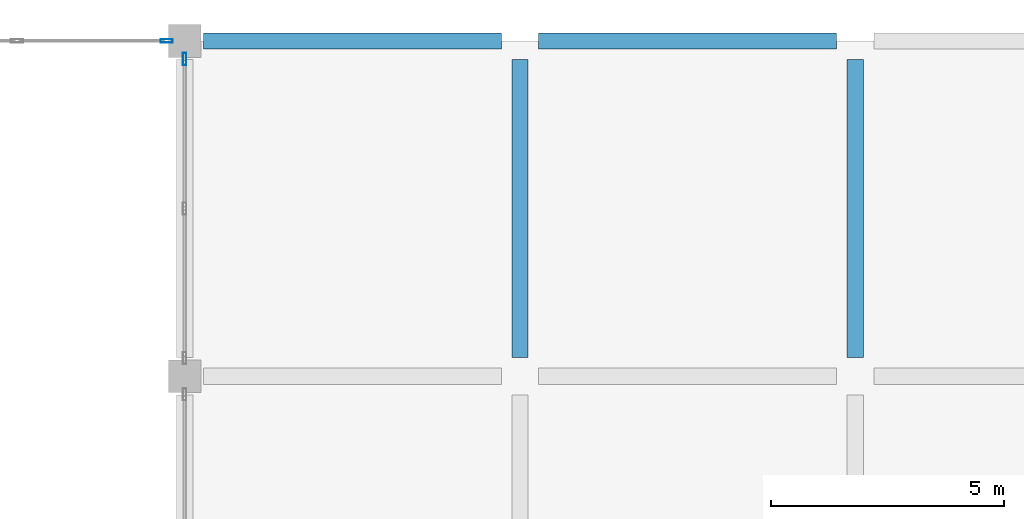
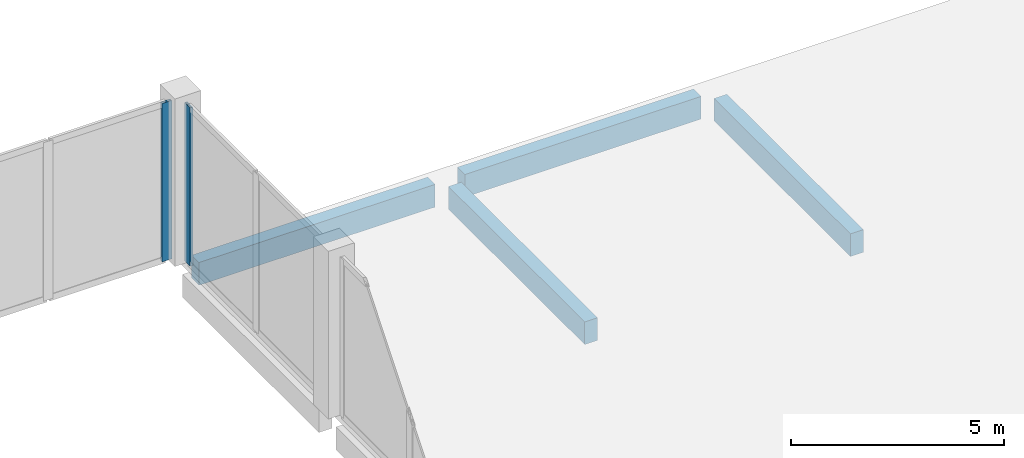
# One storey, part 54 of 99: 4 beams, 2 members, 2 elements without a shape of their own.
"""IFC4 building model written with IfcOpenShell, lengths in metres."""

from ifc_helpers import new_model, si_unit, direction, frame, origin, origin_2d, place, context, subcontext, project, spatial, rectangle, hollow_rectangle, extrude, material, material_profile, profile_set, type_object, element, aggregate, save


model = new_model("IFC4")

# Units and contexts
model_context = context("Model", 3, precision=1e-05, world=origin(), true_north=direction((0.0, 1.0)))
body_context = subcontext(model_context, "Body", "Model", "MODEL_VIEW")
ifc_project = project(units=[si_unit("LENGTHUNIT", "METRE"), si_unit("AREAUNIT", "SQUARE_METRE"), si_unit("VOLUMEUNIT", "CUBIC_METRE"), si_unit("PLANEANGLEUNIT", "RADIAN"), si_unit("MASSUNIT", "GRAM", prefix="KILO")], contexts=[model_context])

# Site, building, storey
site_placement = place(None, origin())
site = spatial("IfcSite", under=ifc_project, at=site_placement, CompositionType="ELEMENT")
building_placement = place(site_placement, origin())
building = spatial("IfcBuilding", under=site, at=building_placement, Name="Vesperath Aquatics Centre", CompositionType="ELEMENT")
storey_placement = place(building_placement, frame((0.0, 0.0, 5.39990234375)))
storey = spatial("IfcBuildingStorey", under=building, at=storey_placement, Name="L01", CompositionType="ELEMENT", Elevation=5.39990234375)

# Beams
ifc_material_1 = material(Name="Concrete C35", Category="concrete")
ifc_material_profile_1 = material_profile(ifc_material_1, rectangle(XDim=0.35009765625, YDim=0.64990234375, at=origin_2d()), Name="RC 350x650")
ifc_profile_set_1 = profile_set([ifc_material_profile_1], Name="Concrete C35")
beam_type = type_object("IfcBeamType", Name="BM-G05", PredefinedType="BEAM", material=ifc_profile_set_1)
beam_1_placement = place(storey_placement, frame((144.39990234375, 115.199951171875, -0.579833984375), z_axis=(1.0, 0.0, 0.0), x_axis=(0.0, 1.0, 0.0)))
element("IfcBeam", 1, at=beam_1_placement, inside=storey, type_object=beam_type, Name="Changing Wing Low Roof Girder B05 S 21-22", PredefinedType="BEAM", context=body_context, shape_type="SweptSolid", body=[
    extrude(rectangle(XDim=0.35009765625, YDim=0.64990234375, at=origin_2d()), origin(), (0.0, 0.0, 1.0), 6.400146484375),
])
beam_2_placement = place(storey_placement, frame((151.60009765625, 115.199951171875, -0.579833984375), z_axis=(1.0, 0.0, 0.0), x_axis=(0.0, 1.0, 0.0)))
element("IfcBeam", 2, at=beam_2_placement, inside=storey, type_object=beam_type, Name="Changing Wing Low Roof Girder B05 S 22-23", PredefinedType="BEAM", context=body_context, shape_type="SweptSolid", body=[
    extrude(rectangle(XDim=0.35009765625, YDim=0.64990234375, at=origin_2d()), origin(), (0.0, 0.0, 1.0), 6.39990234375),
])
for number, where, z_axis, x_axis, name in (
    (3, (151.199951171875, 108.39990234375, -0.579833984375), (0.0, 1.0, 0.0), (-1.0, 0.0, 0.0), "Changing Wing Low Roof Girder B05 22 R-S"),
    (4, (158.39990234375, 108.39990234375, -0.579833984375), (0.0, 1.0, 0.0), (-1.0, 0.0, 0.0), "Changing Wing Low Roof Girder B05 23 R-S"),
):
    element("IfcBeam", number, at=place(storey_placement, frame(where, z_axis=z_axis, x_axis=x_axis)), inside=storey, type_object=beam_type, Name=name, PredefinedType="BEAM", context=body_context, shape_type="SweptSolid", body=[
        extrude(rectangle(XDim=0.35009765625, YDim=0.64990234375, at=origin_2d()), origin(), (0.0, 0.0, 1.0), 6.400146484375),
    ])

# Curtain wall, member
ifc_material_2 = material(Name="Thermally broken anodised bronze aluminium curtain wall", Category="aluminium")
curtain_wall_type = type_object("IfcCurtainWallType", Name="CW-06", PredefinedType="NOTDEFINED", material=ifc_material_2)
curtain_wall_1_placement = place(storey_placement, origin())
curtain_wall_1 = element("IfcCurtainWall", 5, at=curtain_wall_1_placement, inside=storey, type_object=curtain_wall_type, Name="Facade Curtain Wall CW06 L01_N_19_16", PredefinedType="NOTDEFINED")
ifc_material_3 = material(Name="Thermally broken anodised aluminium", Category="aluminium")
ifc_material_profile_2 = material_profile(ifc_material_3, hollow_rectangle(XDim=0.074951171875, YDim=0.260009765625, WallThickness=0.006103515625, at=origin_2d()), Name="CWM 75x260x6")
ifc_profile_set_2 = profile_set([ifc_material_profile_2], Name="Thermally broken anodised aluminium")
member_type = type_object("IfcMemberType", Name="MB-CWM1", PredefinedType="MULLION", material=ifc_profile_set_2)
member_1_placement = place(storey_placement, frame((143.612548828125, 115.199951171875, 0.0), z_axis=(0.0, 0.0, 1.0), x_axis=(0.0, 1.0, 0.0)))
member_1 = element("IfcMember", 6, at=member_1_placement, type_object=member_type, Name="CW06 mullion 3", PredefinedType="MULLION", context=body_context, shape_type="SweptSolid", body=[
    extrude(hollow_rectangle(XDim=0.074951171875, YDim=0.260009765625, WallThickness=0.006103515625, at=origin_2d()), origin(), (0.0, 0.0, 1.0), 4.5400390625),
])
aggregate(curtain_wall_1, [member_1])

curtain_wall_2_placement = place(storey_placement, origin())
curtain_wall_2 = element("IfcCurtainWall", 7, at=curtain_wall_2_placement, inside=storey, type_object=curtain_wall_type, Name="Facade Curtain Wall CW06 L01_E_20_15", PredefinedType="NOTDEFINED")
member_2_placement = place(storey_placement, frame((144.0, 114.8125, 0.0), z_axis=(0.0, 0.0, 1.0), x_axis=(-1.0, 0.0, 0.0)))
member_2 = element("IfcMember", 8, at=member_2_placement, type_object=member_type, Name="CW06 mullion 3", PredefinedType="MULLION", context=body_context, shape_type="SweptSolid", body=[
    extrude(hollow_rectangle(XDim=0.074951171875, YDim=0.260009765625, WallThickness=0.006103515625, at=origin_2d()), origin(), (0.0, 0.0, 1.0), 4.5400390625),
])
aggregate(curtain_wall_2, [member_2])

save(model, "model.ifc")
